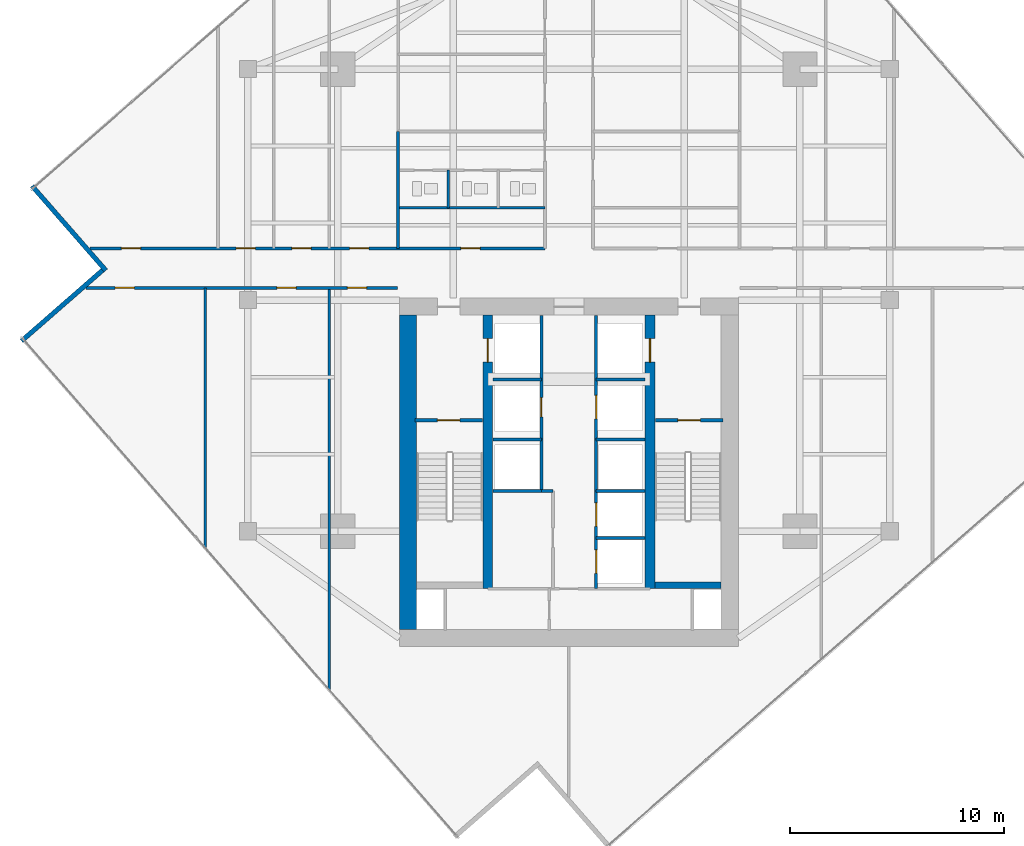
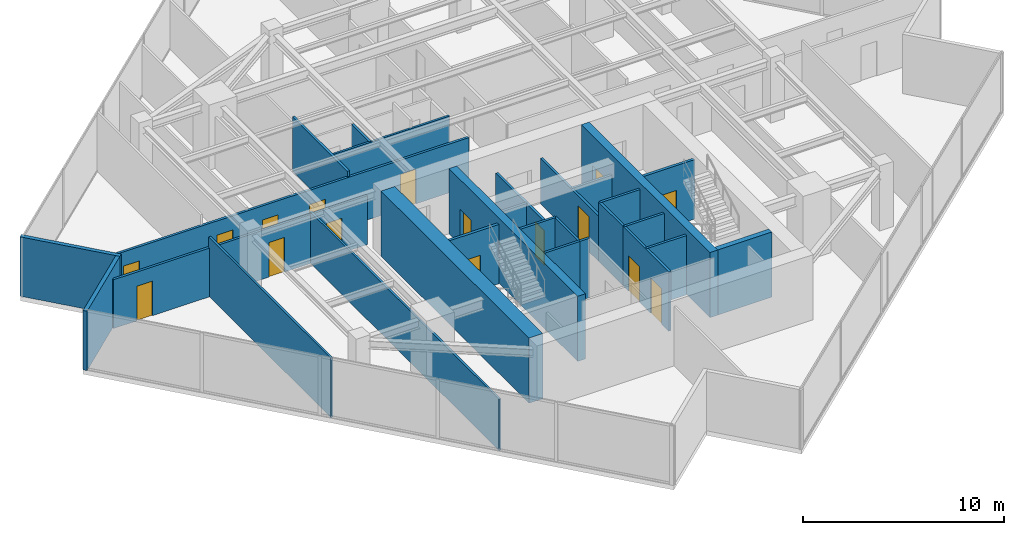
# One storey, part 20 of 24: 28 walls, 16 doors, 16 openings.
"""IFC4 building model written with IfcOpenShell, lengths in metres."""

from ifc_helpers import new_model, si_unit, direction, frame, frame_2d, origin, place, context, subcontext, project, spatial, rectangle, extrude, material, layer, layer_set, type_object, element, fill, save


model = new_model("IFC4")

# Units and contexts
model_context = context("Model", 3, precision=1e-05, world=origin(), true_north=direction((0.0, 1.0)))
body_context = subcontext(model_context, "Body", "Model", "MODEL_VIEW")
ifc_project = project(units=[si_unit("LENGTHUNIT", "METRE"), si_unit("AREAUNIT", "SQUARE_METRE"), si_unit("VOLUMEUNIT", "CUBIC_METRE"), si_unit("PLANEANGLEUNIT", "RADIAN"), si_unit("MASSUNIT", "GRAM", prefix="KILO")], contexts=[model_context])

# Site, building, storey
site_placement = place(None, origin())
site = spatial("IfcSite", under=ifc_project, at=site_placement, CompositionType="ELEMENT")
building_placement = place(site_placement, origin())
building = spatial("IfcBuilding", under=site, at=building_placement, Name="Krantzveldt Concourse Tower", CompositionType="ELEMENT")
storey_placement = place(building_placement, frame((0.0, 0.0, 258.64990234375)))
storey = spatial("IfcBuildingStorey", under=building, at=storey_placement, Name="L63", CompositionType="ELEMENT", Elevation=258.64990234375)

# Walls
ifc_material_1 = material(Name="Anodised aluminium 6063-T6", Category="aluminium")
ifc_layer_1 = layer(ifc_material_1, 0.219970703125, Name="Anodised aluminium 6063-T6", Category="aluminium")
ifc_layer_set_1 = layer_set([ifc_layer_1], Name="Anodised aluminium 6063-T6 (WL-EXT-NOTCH220)")
wall_type_1 = type_object("IfcWallType", Name="WL-EXT-NOTCH220", PredefinedType="ELEMENTEDWALL", material=ifc_layer_set_1)
wall_1_placement = place(storey_placement, frame((10.90771484375, 32.038818359375, 0.0), z_axis=(0.0, 0.0, 1.0), x_axis=(0.657710057617, -0.7532711863, 0.0)))
element("IfcWall", 1, at=wall_1_placement, inside=storey, type_object=wall_type_1, Name="EW-L63-NCH02", PredefinedType="ELEMENTEDWALL", context=body_context, shape_type="SweptSolid", body=[
    extrude(rectangle(XDim=5.2451171875, YDim=0.219970703125, at=frame_2d((2.62255859375, 0.0))), origin(), (0.0, 0.0, 1.0), 3.60009765625),
])
wall_2_placement = place(storey_placement, frame((14.2021484375, 28.098388671875, 0.0), z_axis=(0.0, 0.0, 1.0), x_axis=(-0.753274531518, -0.657706226339, 0.0)))
element("IfcWall", 2, at=wall_2_placement, inside=storey, type_object=wall_type_1, Name="EW-L63-NCH03", PredefinedType="ELEMENTEDWALL", context=body_context, shape_type="SweptSolid", body=[
    extrude(rectangle(XDim=5.02490234375, YDim=0.219970703125, at=frame_2d((2.512451171875, 0.0))), origin(), (0.0, 0.0, 1.0), 3.60009765625),
])
ifc_material_2 = material(Name="Fire-rated gypsum plasterboard on steel stud", Category="steel")
ifc_layer_2 = layer(ifc_material_2, 0.1201171875, Name="Fire-rated gypsum plasterboard on steel stud", Category="steel")
ifc_layer_set_2 = layer_set([ifc_layer_2], Name="Fire-rated gypsum plasterboard on steel stud (WL-PART-120)")
wall_type_2 = type_object("IfcWallType", Name="WL-PART-120", PredefinedType="PARTITIONING", material=ifc_layer_set_2)
wall_3_placement = place(storey_placement, frame((28.02001953125, 31.02001953125, 0.0), z_axis=(0.0, 0.0, 1.0), x_axis=(1.0, 0.0, 0.0)))
element("IfcWall", 3, at=wall_3_placement, inside=storey, type_object=wall_type_2, Name="WP-L63-ISML", PredefinedType="PARTITIONING", context=body_context, shape_type="SweptSolid", body=[
    extrude(rectangle(XDim=6.85986328125, YDim=0.1201171875, at=frame_2d((3.429931640625, 0.0))), origin(), (0.0, 0.0, 1.0), 3.110107421875),
])
wall_4_placement = place(storey_placement, frame((30.3701171875, 31.02001953125, 0.0), z_axis=(0.0, 0.0, 1.0), x_axis=(0.0, 1.0, 0.0)))
element("IfcWall", 4, at=wall_4_placement, inside=storey, type_object=wall_type_2, Name="WP-L63-WCD1", PredefinedType="PARTITIONING", context=body_context, shape_type="SweptSolid", body=[
    extrude(rectangle(XDim=1.760009765625, YDim=0.1201171875, at=frame_2d((0.8798828125, 0.0))), origin(), (0.0, 0.0, 1.0), 3.110107421875),
])
wall_5_placement = place(storey_placement, frame((19.0, 15.13818359375, 0.0), z_axis=(0.0, 0.0, 1.0), x_axis=(0.0, 1.0, 0.0)))
element("IfcWall", 5, at=wall_5_placement, inside=storey, type_object=wall_type_2, Name="WP-L63-SWX1", PredefinedType="PARTITIONING", context=body_context, shape_type="SweptSolid", body=[
    extrude(rectangle(XDim=12.141845703125, YDim=0.1201171875, at=frame_2d((6.07080078125, 0.0))), origin(), (0.0, 0.0, 1.0), 3.60009765625),
])
wall_6_placement = place(storey_placement, frame((24.800048828125, 8.495361328125, 0.0), z_axis=(0.0, 0.0, 1.0), x_axis=(0.0, 1.0, 0.0)))
element("IfcWall", 6, at=wall_6_placement, inside=storey, type_object=wall_type_2, Name="WP-L63-SWX2", PredefinedType="PARTITIONING", context=body_context, shape_type="SweptSolid", body=[
    extrude(rectangle(XDim=18.78466796875, YDim=0.1201171875, at=frame_2d((9.392333984375, 0.0))), origin(), (0.0, 0.0, 1.0), 3.110107421875),
])

# Wall, openings, doors
ifc_layer_3 = layer(ifc_material_2, 0.139892578125, Name="Fire-rated gypsum plasterboard on steel stud", Category="steel")
ifc_layer_set_3 = layer_set([ifc_layer_3], Name="Fire-rated gypsum plasterboard on steel stud (WL-PART-140)")
wall_type_3 = type_object("IfcWallType", Name="WL-PART-140", PredefinedType="PARTITIONING", material=ifc_layer_set_3)
wall_7_placement = place(storey_placement, frame((13.60888671875, 29.1201171875, 0.0), z_axis=(0.0, 0.0, 1.0), x_axis=(1.0, 0.0, 0.0)))
wall_7 = element("IfcWall", 7, at=wall_7_placement, inside=storey, type_object=wall_type_3, Name="WP-L63-EWNL", PredefinedType="PARTITIONING", context=body_context, shape_type="SweptSolid", body=[
    extrude(rectangle(XDim=21.27099609375, YDim=0.139892578125, at=frame_2d((10.635498046875, 0.0))), origin(), (0.0, 0.0, 1.0), 2.960205078125),
])
opening_1_placement = place(wall_7_placement, frame((17.341064453125, 0.0, 0.0)))
opening_1 = element("IfcOpeningElement", 8, at=opening_1_placement, cuts=wall_7, Name="Opening D-IN090", PredefinedType="OPENING", context=body_context, shape_type="SweptSolid", body=[
    extrude(rectangle(XDim=0.89990234375, YDim=2.10009765625, at=frame_2d((0.449951171875, 1.050048828125))), frame((0.0, 0.080078125, 0.0), z_axis=(0.0, -1.0, 0.0), x_axis=(1.0, 0.0, 0.0)), (0.0, 0.0, 1.0), 0.159912109375),
])
opening_2_placement = place(wall_7_placement, frame((1.47802734375, 0.0, 0.0)))
opening_2 = element("IfcOpeningElement", 9, at=opening_2_placement, cuts=wall_7, Name="Opening D-IN090", PredefinedType="OPENING", context=body_context, shape_type="SweptSolid", body=[
    extrude(rectangle(XDim=0.89990234375, YDim=2.10009765625, at=frame_2d((0.449951171875, 1.050048828125))), frame((0.0, 0.080078125, 0.0), z_axis=(0.0, -1.0, 0.0), x_axis=(1.0, 0.0, 0.0)), (0.0, 0.0, 1.0), 0.159912109375),
])
opening_3_placement = place(wall_7_placement, frame((6.841064453125, 0.0, 0.0)))
opening_3 = element("IfcOpeningElement", 10, at=opening_3_placement, cuts=wall_7, Name="Opening D-IN090", PredefinedType="OPENING", context=body_context, shape_type="SweptSolid", body=[
    extrude(rectangle(XDim=0.89990234375, YDim=2.10009765625, at=frame_2d((0.449951171875, 1.050048828125))), frame((0.0, 0.080078125, 0.0), z_axis=(0.0, -1.0, 0.0), x_axis=(1.0, 0.0, 0.0)), (0.0, 0.0, 1.0), 0.159912109375),
])
opening_4_placement = place(wall_7_placement, frame((9.44091796875, 0.0, 0.0)))
opening_4 = element("IfcOpeningElement", 11, at=opening_4_placement, cuts=wall_7, Name="Opening D-IN090", PredefinedType="OPENING", context=body_context, shape_type="SweptSolid", body=[
    extrude(rectangle(XDim=0.89990234375, YDim=2.10009765625, at=frame_2d((0.449951171875, 1.050048828125))), frame((0.0, 0.080078125, 0.0), z_axis=(0.0, -1.0, 0.0), x_axis=(1.0, 0.0, 0.0)), (0.0, 0.0, 1.0), 0.159912109375),
])
opening_5_placement = place(wall_7_placement, frame((12.14111328125, 0.0, 0.0)))
opening_5 = element("IfcOpeningElement", 12, at=opening_5_placement, cuts=wall_7, Name="Opening D-IN090", PredefinedType="OPENING", context=body_context, shape_type="SweptSolid", body=[
    extrude(rectangle(XDim=0.89990234375, YDim=2.10009765625, at=frame_2d((0.449951171875, 1.050048828125))), frame((0.0, 0.080078125, 0.0), z_axis=(0.0, -1.0, 0.0), x_axis=(1.0, 0.0, 0.0)), (0.0, 0.0, 1.0), 0.159912109375),
])
ifc_material_3 = material(Name="Hardwood timber", Category="wood")
door_type_1 = type_object("IfcDoorType", Name="DR-INT-900", OperationType="SINGLE_SWING_LEFT", PredefinedType="DOOR", material=ifc_material_3)
door_1_placement = place(opening_1_placement, origin())
door_1 = element("IfcDoor", 13, at=door_1_placement, inside=storey, type_object=door_type_1, Name="DR-L63-ALCL", OperationType="SINGLE_SWING_LEFT", OverallHeight=2.10009765625, OverallWidth=0.89990234375, PredefinedType="DOOR", context=body_context, shape_type="SweptSolid", body=[
    extrude(rectangle(XDim=0.89990234375, YDim=2.10009765625, at=frame_2d((0.449951171875, 1.050048828125))), frame((0.0, 0.02490234375, 0.0), z_axis=(0.0, -1.0, 0.0), x_axis=(1.0, 0.0, 0.0)), (0.0, 0.0, 1.0), 0.050048828125),
])
fill(opening_1, door_1)
door_2_placement = place(opening_2_placement, origin())
door_2 = element("IfcDoor", 14, at=door_2_placement, inside=storey, type_object=door_type_1, Name="DR-L63-NWX1", OperationType="SINGLE_SWING_LEFT", OverallHeight=2.10009765625, OverallWidth=0.89990234375, PredefinedType="DOOR", context=body_context, shape_type="SweptSolid", body=[
    extrude(rectangle(XDim=0.89990234375, YDim=2.10009765625, at=frame_2d((0.449951171875, 1.050048828125))), frame((0.0, 0.02490234375, 0.0), z_axis=(0.0, -1.0, 0.0), x_axis=(1.0, 0.0, 0.0)), (0.0, 0.0, 1.0), 0.050048828125),
])
fill(opening_2, door_2)
door_3_placement = place(opening_3_placement, origin())
door_3 = element("IfcDoor", 15, at=door_3_placement, inside=storey, type_object=door_type_1, Name="DR-L63-NWX2", OperationType="SINGLE_SWING_LEFT", OverallHeight=2.10009765625, OverallWidth=0.89990234375, PredefinedType="DOOR", context=body_context, shape_type="SweptSolid", body=[
    extrude(rectangle(XDim=0.89990234375, YDim=2.10009765625, at=frame_2d((0.449951171875, 1.050048828125))), frame((0.0, 0.02490234375, 0.0), z_axis=(0.0, -1.0, 0.0), x_axis=(1.0, 0.0, 0.0)), (0.0, 0.0, 1.0), 0.050048828125),
])
fill(opening_3, door_3)
door_4_placement = place(opening_4_placement, origin())
door_4 = element("IfcDoor", 16, at=door_4_placement, inside=storey, type_object=door_type_1, Name="DR-L63-NWX3", OperationType="SINGLE_SWING_LEFT", OverallHeight=2.10009765625, OverallWidth=0.89990234375, PredefinedType="DOOR", context=body_context, shape_type="SweptSolid", body=[
    extrude(rectangle(XDim=0.89990234375, YDim=2.10009765625, at=frame_2d((0.449951171875, 1.050048828125))), frame((0.0, 0.02490234375, 0.0), z_axis=(0.0, -1.0, 0.0), x_axis=(1.0, 0.0, 0.0)), (0.0, 0.0, 1.0), 0.050048828125),
])
fill(opening_4, door_4)
door_5_placement = place(opening_5_placement, origin())
door_5 = element("IfcDoor", 17, at=door_5_placement, inside=storey, type_object=door_type_1, Name="DR-L63-NWX4", OperationType="SINGLE_SWING_LEFT", OverallHeight=2.10009765625, OverallWidth=0.89990234375, PredefinedType="DOOR", context=body_context, shape_type="SweptSolid", body=[
    extrude(rectangle(XDim=0.89990234375, YDim=2.10009765625, at=frame_2d((0.449951171875, 1.050048828125))), frame((0.0, 0.02490234375, 0.0), z_axis=(0.0, -1.0, 0.0), x_axis=(1.0, 0.0, 0.0)), (0.0, 0.0, 1.0), 0.050048828125),
])
fill(opening_5, door_5)

wall_8_placement = place(storey_placement, frame((13.439453125, 27.280029296875, 0.0), z_axis=(0.0, 0.0, 1.0), x_axis=(1.0, 0.0, 0.0)))
wall_8 = element("IfcWall", 18, at=wall_8_placement, inside=storey, type_object=wall_type_3, Name="WP-L63-EWSL", PredefinedType="PARTITIONING", context=body_context, shape_type="SweptSolid", body=[
    extrude(rectangle(XDim=14.560546875, YDim=0.139892578125, at=frame_2d((7.2802734375, 0.0))), origin(), (0.0, 0.0, 1.0), 2.960205078125),
])
opening_6_placement = place(wall_8_placement, frame((1.347412109375, 0.0, 0.0)))
opening_6 = element("IfcOpeningElement", 19, at=opening_6_placement, cuts=wall_8, Name="Opening D-IN090", PredefinedType="OPENING", context=body_context, shape_type="SweptSolid", body=[
    extrude(rectangle(XDim=0.89990234375, YDim=2.10009765625, at=frame_2d((0.449951171875, 1.050048828125))), frame((0.0, 0.080078125, 0.0), z_axis=(0.0, -1.0, 0.0), x_axis=(1.0, 0.0, 0.0)), (0.0, 0.0, 1.0), 0.159912109375),
])
opening_7_placement = place(wall_8_placement, frame((8.910400390625, 0.0, 0.0)))
opening_7 = element("IfcOpeningElement", 20, at=opening_7_placement, cuts=wall_8, Name="Opening D-IN090", PredefinedType="OPENING", context=body_context, shape_type="SweptSolid", body=[
    extrude(rectangle(XDim=0.89990234375, YDim=2.10009765625, at=frame_2d((0.449951171875, 1.050048828125))), frame((0.0, 0.080078125, 0.0), z_axis=(0.0, -1.0, 0.0), x_axis=(1.0, 0.0, 0.0)), (0.0, 0.0, 1.0), 0.159912109375),
])
opening_8_placement = place(wall_8_placement, frame((12.21044921875, 0.0, 0.0)))
opening_8 = element("IfcOpeningElement", 21, at=opening_8_placement, cuts=wall_8, Name="Opening D-IN090", PredefinedType="OPENING", context=body_context, shape_type="SweptSolid", body=[
    extrude(rectangle(XDim=0.89990234375, YDim=2.10009765625, at=frame_2d((0.449951171875, 1.050048828125))), frame((0.0, 0.080078125, 0.0), z_axis=(0.0, -1.0, 0.0), x_axis=(1.0, 0.0, 0.0)), (0.0, 0.0, 1.0), 0.159912109375),
])
door_6_placement = place(opening_6_placement, origin())
door_6 = element("IfcDoor", 22, at=door_6_placement, inside=storey, type_object=door_type_1, Name="DR-L63-SWX1", OperationType="SINGLE_SWING_LEFT", OverallHeight=2.10009765625, OverallWidth=0.89990234375, PredefinedType="DOOR", context=body_context, shape_type="SweptSolid", body=[
    extrude(rectangle(XDim=0.89990234375, YDim=2.10009765625, at=frame_2d((0.449951171875, 1.050048828125))), frame((0.0, 0.02490234375, 0.0), z_axis=(0.0, -1.0, 0.0), x_axis=(1.0, 0.0, 0.0)), (0.0, 0.0, 1.0), 0.050048828125),
])
fill(opening_6, door_6)
door_7_placement = place(opening_7_placement, origin())
door_7 = element("IfcDoor", 23, at=door_7_placement, inside=storey, type_object=door_type_1, Name="DR-L63-SWX2", OperationType="SINGLE_SWING_LEFT", OverallHeight=2.10009765625, OverallWidth=0.89990234375, PredefinedType="DOOR", context=body_context, shape_type="SweptSolid", body=[
    extrude(rectangle(XDim=0.89990234375, YDim=2.10009765625, at=frame_2d((0.449951171875, 1.050048828125))), frame((0.0, 0.02490234375, 0.0), z_axis=(0.0, -1.0, 0.0), x_axis=(1.0, 0.0, 0.0)), (0.0, 0.0, 1.0), 0.050048828125),
])
fill(opening_7, door_7)
door_8_placement = place(opening_8_placement, origin())
door_8 = element("IfcDoor", 24, at=door_8_placement, inside=storey, type_object=door_type_1, Name="DR-L63-SWX3", OperationType="SINGLE_SWING_LEFT", OverallHeight=2.10009765625, OverallWidth=0.89990234375, PredefinedType="DOOR", context=body_context, shape_type="SweptSolid", body=[
    extrude(rectangle(XDim=0.89990234375, YDim=2.10009765625, at=frame_2d((0.449951171875, 1.050048828125))), frame((0.0, 0.02490234375, 0.0), z_axis=(0.0, -1.0, 0.0), x_axis=(1.0, 0.0, 0.0)), (0.0, 0.0, 1.0), 0.050048828125),
])
fill(opening_8, door_8)

# Wall
wall_9_placement = place(storey_placement, frame((28.02001953125, 29.1201171875, 0.0), z_axis=(0.0, 0.0, 1.0), x_axis=(0.0, 1.0, 0.0)))
element("IfcWall", 25, at=wall_9_placement, inside=storey, type_object=wall_type_3, Name="WP-L63-ISWL", PredefinedType="PARTITIONING", context=body_context, shape_type="SweptSolid", body=[
    extrude(rectangle(XDim=5.4599609375, YDim=0.139892578125, at=frame_2d((2.72998046875, 0.0))), origin(), (0.0, 0.0, 1.0), 3.300048828125),
])

# Wall, opening, door
ifc_layer_4 = layer(ifc_material_2, 0.139892578125, Name="Fire-rated gypsum plasterboard on steel stud", Category="steel")
ifc_layer_set_4 = layer_set([ifc_layer_4], Name="Fire-rated gypsum plasterboard on steel stud (WL-PART-FR140)")
wall_type_4 = type_object("IfcWallType", Name="WL-PART-FR140", PredefinedType="PARTITIONING", material=ifc_layer_set_4)
wall_10_placement = place(storey_placement, frame((34.719970703125, 20.199951171875, 0.0), z_axis=(0.0, 0.0, 1.0), x_axis=(0.0, 1.0, 0.0)))
wall_10 = element("IfcWall", 26, at=wall_10_placement, inside=storey, type_object=wall_type_4, Name="WP-L63-SHNW", PredefinedType="PARTITIONING", context=body_context, shape_type="SweptSolid", body=[
    extrude(rectangle(XDim=5.780029296875, YDim=0.139892578125, at=frame_2d((2.89013671875, 0.0))), origin(), (0.0, 0.0, 1.0), 2.75),
])
opening_9_placement = place(wall_10_placement, frame((1.050048828125, 0.0, 0.0)))
opening_9 = element("IfcOpeningElement", 27, at=opening_9_placement, cuts=wall_10, Name="Opening D-FD090", PredefinedType="OPENING", context=body_context, shape_type="SweptSolid", body=[
    extrude(rectangle(XDim=0.89990234375, YDim=2.10009765625, at=frame_2d((0.449951171875, 1.050048828125))), frame((0.0, 0.080078125, 0.0), z_axis=(0.0, -1.0, 0.0), x_axis=(1.0, 0.0, 0.0)), (0.0, 0.0, 1.0), 0.159912109375),
])
door_type_2 = type_object("IfcDoorType", Name="DR-FD60-900", OperationType="SINGLE_SWING_LEFT", PredefinedType="DOOR", material=ifc_material_3)
door_9_placement = place(opening_9_placement, origin())
door_9 = element("IfcDoor", 28, at=door_9_placement, inside=storey, type_object=door_type_2, Name="Electrical Riser Access Door L63", OperationType="SINGLE_SWING_LEFT", OverallHeight=2.10009765625, OverallWidth=0.89990234375, PredefinedType="DOOR", context=body_context, shape_type="SweptSolid", body=[
    extrude(rectangle(XDim=0.89990234375, YDim=2.10009765625, at=frame_2d((0.449951171875, 1.050048828125))), frame((0.0, 0.02490234375, 0.0), z_axis=(0.0, -1.0, 0.0), x_axis=(1.0, 0.0, 0.0)), (0.0, 0.0, 1.0), 0.050048828125),
])
fill(opening_9, door_9)

wall_11_placement = place(storey_placement, frame((37.280029296875, 20.199951171875, 0.0), z_axis=(0.0, 0.0, 1.0), x_axis=(0.0, 1.0, 0.0)))
wall_11 = element("IfcWall", 29, at=wall_11_placement, inside=storey, type_object=wall_type_4, Name="WP-L63-SHNE", PredefinedType="PARTITIONING", context=body_context, shape_type="SweptSolid", body=[
    extrude(rectangle(XDim=5.780029296875, YDim=0.139892578125, at=frame_2d((2.89013671875, 0.0))), origin(), (0.0, 0.0, 1.0), 2.75),
])
opening_10_placement = place(wall_11_placement, frame((0.949951171875, 0.0, 0.0)))
opening_10 = element("IfcOpeningElement", 30, at=opening_10_placement, cuts=wall_11, Name="Opening LD", PredefinedType="OPENING", context=body_context, shape_type="SweptSolid", body=[
    extrude(rectangle(XDim=1.10009765625, YDim=2.14990234375, at=frame_2d((0.550048828125, 1.074951171875))), frame((0.0, 0.080078125, 0.0), z_axis=(0.0, -1.0, 0.0), x_axis=(1.0, 0.0, 0.0)), (0.0, 0.0, 1.0), 0.159912109375),
])
ifc_material_4 = material(Name="Stainless steel 316L", Category="steel")
door_type_3 = type_object("IfcDoorType", Name="DR-SLIDE-LD1100", OperationType="DOUBLE_DOOR_SLIDING", PredefinedType="DOOR", material=ifc_material_4)
door_10_placement = place(opening_10_placement, origin())
door_10 = element("IfcDoor", 31, at=door_10_placement, inside=storey, type_object=door_type_3, Name="LD-L63-GL1", OperationType="DOUBLE_DOOR_SLIDING", OverallHeight=2.14990234375, OverallWidth=1.10009765625, PredefinedType="DOOR", context=body_context, shape_type="SweptSolid", body=[
    extrude(rectangle(XDim=1.10009765625, YDim=2.14990234375, at=frame_2d((0.550048828125, 1.074951171875))), frame((0.0, 0.02490234375, 0.0), z_axis=(0.0, -1.0, 0.0), x_axis=(1.0, 0.0, 0.0)), (0.0, 0.0, 1.0), 0.050048828125),
])
fill(opening_10, door_10)

# Walls
for number, where, z_axis, x_axis, name in (
    (32, (32.449951171875, 23.0, 0.0), (0.0, 0.0, 1.0), (1.0, 0.0, 0.0), "WP-L63-RISH"),
    (33, (37.280029296875, 23.0, 0.0), (0.0, 0.0, 1.0), (1.0, 0.0, 0.0), "WP-L63-GLH"),
):
    element("IfcWall", number, at=place(storey_placement, frame(where, z_axis=z_axis, x_axis=x_axis)), inside=storey, type_object=wall_type_4, Name=name, PredefinedType="PARTITIONING", context=body_context, shape_type="SweptSolid", body=[
        extrude(rectangle(XDim=2.27001953125, YDim=0.139892578125, at=frame_2d((1.135009765625, 0.0))), origin(), (0.0, 0.0, 1.0), 2.75),
    ])
for number, where, z_axis, x_axis, name in (
    (34, (34.719970703125, 17.780029296875, 0.0), (0.0, 0.0, 1.0), (0.0, 1.0, 0.0), "WP-L63-SHNW2"),
    (35, (37.280029296875, 17.780029296875, 0.0), (0.0, 0.0, 1.0), (0.0, 1.0, 0.0), "WP-L63-SHNE2"),
):
    element("IfcWall", number, at=place(storey_placement, frame(where, z_axis=z_axis, x_axis=x_axis)), inside=storey, type_object=wall_type_4, Name=name, PredefinedType="PARTITIONING", context=body_context, shape_type="SweptSolid", body=[
        extrude(rectangle(XDim=2.419921875, YDim=0.139892578125, at=frame_2d((1.2099609375, 0.0))), origin(), (0.0, 0.0, 1.0), 3.60009765625),
    ])
for number, where, z_axis, x_axis, name in (
    (36, (32.449951171875, 17.780029296875, 0.0), (0.0, 0.0, 1.0), (1.0, 0.0, 0.0), "WP-L63-DIVW2"),
    (37, (32.449951171875, 20.179931640625, 0.0), (0.0, 0.0, 1.0), (1.0, 0.0, 0.0), "WP-L63-DIVW3"),
    (38, (37.280029296875, 17.780029296875, 0.0), (0.0, 0.0, 1.0), (1.0, 0.0, 0.0), "WP-L63-DIVE2"),
    (39, (37.280029296875, 20.179931640625, 0.0), (0.0, 0.0, 1.0), (1.0, 0.0, 0.0), "WP-L63-DIVE3"),
):
    element("IfcWall", number, at=place(storey_placement, frame(where, z_axis=z_axis, x_axis=x_axis)), inside=storey, type_object=wall_type_4, Name=name, PredefinedType="PARTITIONING", context=body_context, shape_type="SweptSolid", body=[
        extrude(rectangle(XDim=2.27001953125, YDim=0.139892578125, at=frame_2d((1.135009765625, 0.0))), origin(), (0.0, 0.0, 1.0), 3.60009765625),
    ])
wall_12_placement = place(storey_placement, frame((34.719970703125, 17.780029296875, 0.0), z_axis=(0.0, 0.0, 1.0), x_axis=(1.0, 0.0, 0.0)))
element("IfcWall", 40, at=wall_12_placement, inside=storey, type_object=wall_type_4, Name="WP-L63-RECWN", PredefinedType="PARTITIONING", context=body_context, shape_type="SweptSolid", body=[
    extrude(rectangle(XDim=0.530029296875, YDim=0.139892578125, at=frame_2d((0.26513671875, 0.0))), origin(), (0.0, 0.0, 1.0), 3.60009765625),
])

# Wall, openings, doors
wall_13_placement = place(storey_placement, frame((37.280029296875, 13.219970703125, 0.0), z_axis=(0.0, 0.0, 1.0), x_axis=(0.0, 1.0, 0.0)))
wall_13 = element("IfcWall", 41, at=wall_13_placement, inside=storey, type_object=wall_type_4, Name="WP-L63-SHSE", PredefinedType="PARTITIONING", context=body_context, shape_type="SweptSolid", body=[
    extrude(rectangle(XDim=4.56005859375, YDim=0.139892578125, at=frame_2d((2.280029296875, 0.0))), origin(), (0.0, 0.0, 1.0), 3.60009765625),
])
opening_11_placement = place(wall_13_placement, frame((0.7099609375, 0.0, 0.0)))
opening_11 = element("IfcOpeningElement", 42, at=opening_11_placement, cuts=wall_13, Name="Opening LD", PredefinedType="OPENING", context=body_context, shape_type="SweptSolid", body=[
    extrude(rectangle(XDim=1.10009765625, YDim=2.14990234375, at=frame_2d((0.550048828125, 1.074951171875))), frame((0.0, 0.080078125, 0.0), z_axis=(0.0, -1.0, 0.0), x_axis=(1.0, 0.0, 0.0)), (0.0, 0.0, 1.0), 0.159912109375),
])
opening_12_placement = place(wall_13_placement, frame((2.909912109375, 0.0, 0.0)))
opening_12 = element("IfcOpeningElement", 43, at=opening_12_placement, cuts=wall_13, Name="Opening LD", PredefinedType="OPENING", context=body_context, shape_type="SweptSolid", body=[
    extrude(rectangle(XDim=1.10009765625, YDim=2.14990234375, at=frame_2d((0.550048828125, 1.074951171875))), frame((0.0, 0.080078125, 0.0), z_axis=(0.0, -1.0, 0.0), x_axis=(1.0, 0.0, 0.0)), (0.0, 0.0, 1.0), 0.159912109375),
])
door_11_placement = place(opening_11_placement, origin())
door_11 = element("IfcDoor", 44, at=door_11_placement, inside=storey, type_object=door_type_3, Name="LD-L63-PM1", OperationType="DOUBLE_DOOR_SLIDING", OverallHeight=2.14990234375, OverallWidth=1.10009765625, PredefinedType="DOOR", context=body_context, shape_type="SweptSolid", body=[
    extrude(rectangle(XDim=1.10009765625, YDim=2.14990234375, at=frame_2d((0.550048828125, 1.074951171875))), frame((0.0, 0.02490234375, 0.0), z_axis=(0.0, -1.0, 0.0), x_axis=(1.0, 0.0, 0.0)), (0.0, 0.0, 1.0), 0.050048828125),
])
fill(opening_11, door_11)
door_12_placement = place(opening_12_placement, origin())
door_12 = element("IfcDoor", 45, at=door_12_placement, inside=storey, type_object=door_type_3, Name="LD-L63-PM2", OperationType="DOUBLE_DOOR_SLIDING", OverallHeight=2.14990234375, OverallWidth=1.10009765625, PredefinedType="DOOR", context=body_context, shape_type="SweptSolid", body=[
    extrude(rectangle(XDim=1.10009765625, YDim=2.14990234375, at=frame_2d((0.550048828125, 1.074951171875))), frame((0.0, 0.02490234375, 0.0), z_axis=(0.0, -1.0, 0.0), x_axis=(1.0, 0.0, 0.0)), (0.0, 0.0, 1.0), 0.050048828125),
])
fill(opening_12, door_12)

# Wall
wall_14_placement = place(storey_placement, frame((37.280029296875, 15.580078125, 0.0), z_axis=(0.0, 0.0, 1.0), x_axis=(1.0, 0.0, 0.0)))
element("IfcWall", 46, at=wall_14_placement, inside=storey, type_object=wall_type_4, Name="WP-L63-DIVE1", PredefinedType="PARTITIONING", context=body_context, shape_type="SweptSolid", body=[
    extrude(rectangle(XDim=2.27001953125, YDim=0.139892578125, at=frame_2d((1.135009765625, 0.0))), origin(), (0.0, 0.0, 1.0), 3.60009765625),
])

# Wall, opening, door
ifc_layer_5 = layer(ifc_material_2, 0.159912109375, Name="Fire-rated gypsum plasterboard on steel stud", Category="steel")
ifc_layer_set_5 = layer_set([ifc_layer_5], Name="Fire-rated gypsum plasterboard on steel stud (WL-PART-FR160)")
wall_type_5 = type_object("IfcWallType", Name="WL-PART-FR160", PredefinedType="PARTITIONING", material=ifc_layer_set_5)
wall_15_placement = place(storey_placement, frame((28.800048828125, 21.080078125, 0.0), z_axis=(0.0, 0.0, 1.0), x_axis=(1.0, 0.0, 0.0)))
wall_15 = element("IfcWall", 47, at=wall_15_placement, inside=storey, type_object=wall_type_5, Name="WP-L63-ST1", PredefinedType="PARTITIONING", context=body_context, shape_type="SweptSolid", body=[
    extrude(rectangle(XDim=3.159912109375, YDim=0.159912109375, at=frame_2d((1.580078125, 0.0))), origin(), (0.0, 0.0, 1.0), 3.60009765625),
])
opening_13_placement = place(wall_15_placement, frame((1.054931640625, 0.0, 0.0)))
opening_13 = element("IfcOpeningElement", 48, at=opening_13_placement, cuts=wall_15, Name="Opening D-FD105", PredefinedType="OPENING", context=body_context, shape_type="SweptSolid", body=[
    extrude(rectangle(XDim=1.050048828125, YDim=2.10009765625, at=frame_2d((0.52490234375, 1.050048828125))), frame((0.0, 0.08984375, 0.0), z_axis=(0.0, -1.0, 0.0), x_axis=(1.0, 0.0, 0.0)), (0.0, 0.0, 1.0), 0.179931640625),
])
ifc_material_5 = material(Name="Galvanised steel", Category="steel")
door_type_4 = type_object("IfcDoorType", Name="DR-FD120-1050", OperationType="SINGLE_SWING_LEFT", PredefinedType="DOOR", material=ifc_material_5)
door_13_placement = place(opening_13_placement, origin())
door_13 = element("IfcDoor", 49, at=door_13_placement, inside=storey, type_object=door_type_4, Name="DR-L63-ST1", OperationType="SINGLE_SWING_RIGHT", OverallHeight=2.10009765625, OverallWidth=1.050048828125, PredefinedType="DOOR", context=body_context, shape_type="SweptSolid", body=[
    extrude(rectangle(XDim=1.050048828125, YDim=2.10009765625, at=frame_2d((0.52490234375, 1.050048828125))), frame((0.0, 0.02490234375, 0.0), z_axis=(0.0, -1.0, 0.0), x_axis=(1.0, 0.0, 0.0)), (0.0, 0.0, 1.0), 0.050048828125),
])
fill(opening_13, door_13)

wall_16_placement = place(storey_placement, frame((40.0400390625, 21.080078125, 0.0), z_axis=(0.0, 0.0, 1.0), x_axis=(1.0, 0.0, 0.0)))
wall_16 = element("IfcWall", 50, at=wall_16_placement, inside=storey, type_object=wall_type_5, Name="WP-L63-ST2", PredefinedType="PARTITIONING", context=body_context, shape_type="SweptSolid", body=[
    extrude(rectangle(XDim=3.159912109375, YDim=0.159912109375, at=frame_2d((1.580078125, 0.0))), origin(), (0.0, 0.0, 1.0), 3.60009765625),
])
opening_14_placement = place(wall_16_placement, frame((1.054931640625, 0.0, 0.0)))
opening_14 = element("IfcOpeningElement", 51, at=opening_14_placement, cuts=wall_16, Name="Opening D-FD105", PredefinedType="OPENING", context=body_context, shape_type="SweptSolid", body=[
    extrude(rectangle(XDim=1.050048828125, YDim=2.10009765625, at=frame_2d((0.52490234375, 1.050048828125))), frame((0.0, 0.08984375, 0.0), z_axis=(0.0, -1.0, 0.0), x_axis=(1.0, 0.0, 0.0)), (0.0, 0.0, 1.0), 0.179931640625),
])
door_14_placement = place(opening_14_placement, origin())
door_14 = element("IfcDoor", 52, at=door_14_placement, inside=storey, type_object=door_type_4, Name="DR-L63-ST2", OperationType="SINGLE_SWING_LEFT", OverallHeight=2.10009765625, OverallWidth=1.050048828125, PredefinedType="DOOR", context=body_context, shape_type="SweptSolid", body=[
    extrude(rectangle(XDim=1.050048828125, YDim=2.10009765625, at=frame_2d((0.52490234375, 1.050048828125))), frame((0.0, 0.02490234375, 0.0), z_axis=(0.0, -1.0, 0.0), x_axis=(1.0, 0.0, 0.0)), (0.0, 0.0, 1.0), 0.050048828125),
])
fill(opening_14, door_14)

# Wall
ifc_material_6 = material(Name="Concrete C50/60", Category="concrete")
ifc_layer_6 = layer(ifc_material_6, 0.300048828125, Name="Concrete C50/60", Category="concrete")
ifc_layer_set_6 = layer_set([ifc_layer_6], Name="Concrete C50/60 (WL-SHEAR-300)")
wall_type_6 = type_object("IfcWallType", Name="WL-SHEAR-300", PredefinedType="SHEAR", material=ifc_layer_set_6)
wall_17_placement = place(storey_placement, frame((40.02001953125, 13.3701171875, 0.0), z_axis=(0.0, 0.0, 1.0), x_axis=(1.0, 0.0, 0.0)))
element("IfcWall", 53, at=wall_17_placement, inside=storey, type_object=wall_type_6, Name="CW-L63-ST2S", PredefinedType="SHEAR", context=body_context, shape_type="SweptSolid", body=[
    extrude(rectangle(XDim=3.10009765625, YDim=0.300048828125, at=frame_2d((1.550048828125, 0.0))), origin(), (0.0, 0.0, 1.0), 3.9501953125),
])

# Wall, opening, door
ifc_layer_7 = layer(ifc_material_6, 0.449951171875, Name="Concrete C50/60", Category="concrete")
ifc_layer_set_7 = layer_set([ifc_layer_7], Name="Concrete C50/60 (WL-SHEAR-450)")
wall_type_7 = type_object("IfcWallType", Name="WL-SHEAR-450", PredefinedType="SHEAR", material=ifc_layer_set_7)
wall_18_placement = place(storey_placement, frame((32.205078125, 13.219970703125, 0.0), z_axis=(0.0, 0.0, 1.0), x_axis=(0.0, 1.0, 0.0)))
wall_18 = element("IfcWall", 54, at=wall_18_placement, inside=storey, type_object=wall_type_7, Name="CW-L63-IW", PredefinedType="SHEAR", context=body_context, shape_type="SweptSolid", body=[
    extrude(rectangle(XDim=12.780029296875, YDim=0.449951171875, at=frame_2d((6.39013671875, 0.0))), origin(), (0.0, 0.0, 1.0), 3.9501953125),
])
opening_15_placement = place(wall_18_placement, frame((10.580078125, 0.0, 0.0)))
opening_15 = element("IfcOpeningElement", 55, at=opening_15_placement, cuts=wall_18, Name="Opening LD", PredefinedType="OPENING", context=body_context, shape_type="SweptSolid", body=[
    extrude(rectangle(XDim=1.10009765625, YDim=2.14990234375, at=frame_2d((0.550048828125, 1.074951171875))), frame((0.0, 0.23486328125, 0.0), z_axis=(0.0, -1.0, 0.0), x_axis=(1.0, 0.0, 0.0)), (0.0, 0.0, 1.0), 0.469970703125),
])
door_15_placement = place(opening_15_placement, origin())
door_15 = element("IfcDoor", 56, at=door_15_placement, inside=storey, type_object=door_type_3, Name="LD-L63-FL1", OperationType="DOUBLE_DOOR_SLIDING", OverallHeight=2.14990234375, OverallWidth=1.10009765625, PredefinedType="DOOR", context=body_context, shape_type="SweptSolid", body=[
    extrude(rectangle(XDim=1.10009765625, YDim=2.14990234375, at=frame_2d((0.550048828125, 1.074951171875))), frame((0.0, 0.02490234375, 0.0), z_axis=(0.0, -1.0, 0.0), x_axis=(1.0, 0.0, 0.0)), (0.0, 0.0, 1.0), 0.050048828125),
])
fill(opening_15, door_15)

wall_19_placement = place(storey_placement, frame((39.794921875, 13.219970703125, 0.0), z_axis=(0.0, 0.0, 1.0), x_axis=(0.0, 1.0, 0.0)))
wall_19 = element("IfcWall", 57, at=wall_19_placement, inside=storey, type_object=wall_type_7, Name="CW-L63-IE", PredefinedType="SHEAR", context=body_context, shape_type="SweptSolid", body=[
    extrude(rectangle(XDim=12.780029296875, YDim=0.449951171875, at=frame_2d((6.39013671875, 0.0))), origin(), (0.0, 0.0, 1.0), 3.9501953125),
])
opening_16_placement = place(wall_19_placement, frame((10.580078125, 0.0, 0.0)))
opening_16 = element("IfcOpeningElement", 58, at=opening_16_placement, cuts=wall_19, Name="Opening LD", PredefinedType="OPENING", context=body_context, shape_type="SweptSolid", body=[
    extrude(rectangle(XDim=1.10009765625, YDim=2.14990234375, at=frame_2d((0.550048828125, 1.074951171875))), frame((0.0, 0.23486328125, 0.0), z_axis=(0.0, -1.0, 0.0), x_axis=(1.0, 0.0, 0.0)), (0.0, 0.0, 1.0), 0.469970703125),
])
door_16_placement = place(opening_16_placement, origin())
door_16 = element("IfcDoor", 59, at=door_16_placement, inside=storey, type_object=door_type_3, Name="LD-L63-FL2", OperationType="DOUBLE_DOOR_SLIDING", OverallHeight=2.14990234375, OverallWidth=1.10009765625, PredefinedType="DOOR", context=body_context, shape_type="SweptSolid", body=[
    extrude(rectangle(XDim=1.10009765625, YDim=2.14990234375, at=frame_2d((0.550048828125, 1.074951171875))), frame((0.0, 0.02490234375, 0.0), z_axis=(0.0, -1.0, 0.0), x_axis=(1.0, 0.0, 0.0)), (0.0, 0.0, 1.0), 0.050048828125),
])
fill(opening_16, door_16)

# Wall
ifc_material_7 = material(Name="Concrete C60/75", Category="concrete")
ifc_layer_8 = layer(ifc_material_7, 0.800048828125, Name="Concrete C60/75", Category="concrete")
ifc_layer_set_8 = layer_set([ifc_layer_8], Name="Concrete C60/75 (WL-SHEAR-800)")
wall_type_8 = type_object("IfcWallType", Name="WL-SHEAR-800", PredefinedType="SHEAR", material=ifc_layer_set_8)
wall_20_placement = place(storey_placement, frame((28.47998046875, 11.300048828125, 0.0), z_axis=(0.0, 0.0, 1.0), x_axis=(0.0, 1.0, 0.0)))
element("IfcWall", 60, at=wall_20_placement, inside=storey, type_object=wall_type_8, Name="CW-L63-W", PredefinedType="SHEAR", context=body_context, shape_type="SweptSolid", body=[
    extrude(rectangle(XDim=14.699951171875, YDim=0.800048828125, at=frame_2d((7.35009765625, 0.0))), origin(), (0.0, 0.0, 1.0), 3.9501953125),
])

save(model, "model.ifc")
